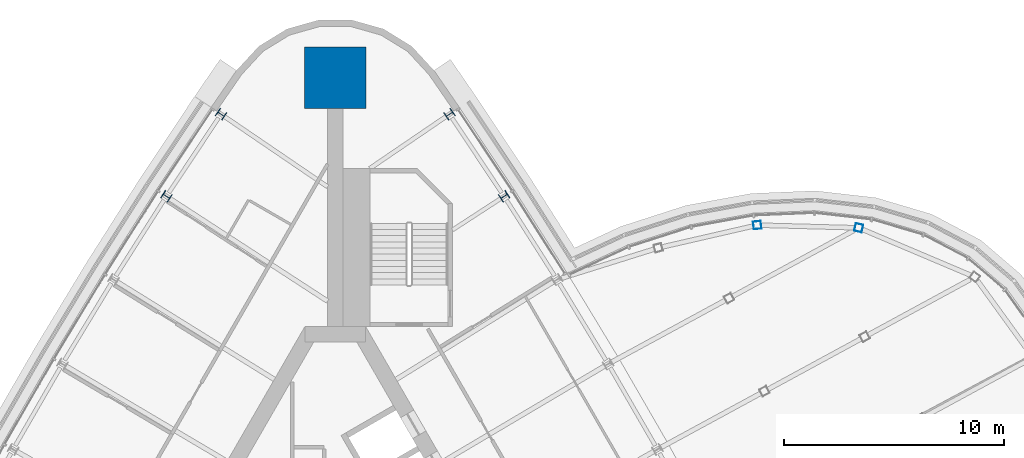
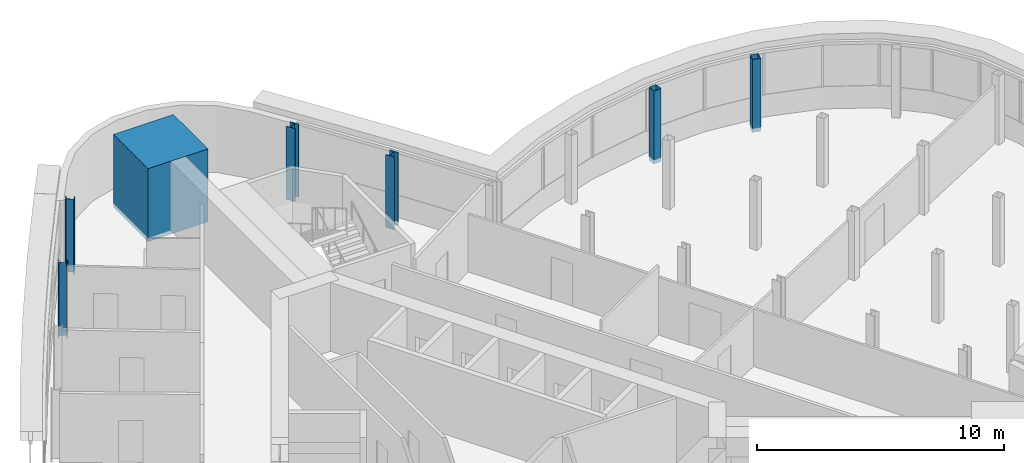
# One storey, part 3 of 15: 7 columns.
"""IFC4 building model written with IfcOpenShell, lengths in metres."""

from ifc_helpers import new_model, si_unit, direction, frame, origin, origin_2d, place, context, subcontext, project, spatial, rectangle, hollow_rectangle, i_section, extrude, material, material_profile, profile_set, type_object, element, save


model = new_model("IFC4")

# Units and contexts
model_context = context("Model", 3, precision=1e-05, world=origin(), true_north=direction((0.0, 1.0)))
body_context = subcontext(model_context, "Body", "Model", "MODEL_VIEW")
ifc_project = project(units=[si_unit("LENGTHUNIT", "METRE"), si_unit("AREAUNIT", "SQUARE_METRE"), si_unit("VOLUMEUNIT", "CUBIC_METRE"), si_unit("PLANEANGLEUNIT", "RADIAN"), si_unit("MASSUNIT", "GRAM", prefix="KILO")], contexts=[model_context])

# Site, building, storey
site_placement = place(None, origin())
site = spatial("IfcSite", under=ifc_project, at=site_placement, CompositionType="ELEMENT")
building_placement = place(site_placement, origin())
building = spatial("IfcBuilding", under=site, at=building_placement, Name="Noor Cloister Tower", CompositionType="ELEMENT")
storey_placement = place(building_placement, frame((0.0, 0.0, 177.89990234375)))
storey = spatial("IfcBuildingStorey", under=building, at=storey_placement, Name="L45", CompositionType="ELEMENT", Elevation=177.89990234375)

# Columns
ifc_material_1 = material(Name="Steel ASTM A992 Gr 50", Category="steel")
ifc_material_profile_1 = material_profile(ifc_material_1, i_section(OverallWidth=0.39404296875, OverallDepth=0.3759765625, WebThickness=0.017333984375, FlangeThickness=0.027587890625, FilletRadius=0.01513671875, at=origin_2d()), Name="W360x216")
ifc_profile_set_1 = profile_set([ifc_material_profile_1], Name="Steel ASTM A992 Gr 50")
column_type_1 = type_object("IfcColumnType", Name="Column W360x216", PredefinedType="COLUMN", material=ifc_profile_set_1)
for number, where, z_axis, x_axis, name in (
    (1, (-5.19775390625, 21.123779296875, -0.199951171875), (0.0, 0.0, 1.0), (-0.562771100016, -0.826612780561, 0.0), "Column NW 01 L45"),
    (2, (-7.68408203125, 17.38720703125, -0.199951171875), (0.0, 0.0, 1.0), (-0.545137193542, -0.83834684959, 0.0), "Column NW 02 L45"),
    (3, (7.68408203125, 17.38720703125, -0.199951171875), (0.0, 0.0, 1.0), (-0.545137193542, 0.83834684959, 0.0), "Column NE 07 L45"),
    (4, (5.19775390625, 21.123779296875, -0.199951171875), (0.0, 0.0, 1.0), (-0.562771100016, 0.826612780561, 0.0), "Column NE 08 L45"),
):
    element("IfcColumn", number, at=place(storey_placement, frame(where, z_axis=z_axis, x_axis=x_axis)), inside=storey, type_object=column_type_1, Name=name, PredefinedType="COLUMN", context=body_context, shape_type="SweptSolid", body=[
        extrude(i_section(OverallWidth=0.39404296875, OverallDepth=0.3759765625, WebThickness=0.017333984375, FlangeThickness=0.027587890625, FilletRadius=0.01513671875, at=origin_2d()), origin(), (0.0, 0.0, 1.0), 3.60009765625),
    ])
ifc_material_2 = material(Name="Concrete C70/85", Category="concrete")
ifc_material_profile_2 = material_profile(ifc_material_2, rectangle(XDim=2.800048828125, YDim=2.800048828125, at=origin_2d()), Name="RC 2800x2800")
ifc_profile_set_2 = profile_set([ifc_material_profile_2], Name="Concrete C70/85")
column_type_2 = type_object("IfcColumnType", Name="Corner pier 2800 x 2800 C70/85", PredefinedType="COLUMN", material=ifc_profile_set_2)
column_placement = place(storey_placement, frame((0.0, 22.783935546875, -0.199951171875), z_axis=(0.0, 0.0, 1.0), x_axis=(0.0, 1.0, 0.0)))
element("IfcColumn", 5, at=column_placement, inside=storey, type_object=column_type_2, Name="Corner pier N L45", PredefinedType="COLUMN", context=body_context, shape_type="SweptSolid", body=[
    extrude(rectangle(XDim=2.800048828125, YDim=2.800048828125, at=origin_2d()), origin(), (0.0, 0.0, 1.0), 3.60009765625),
])
ifc_material_3 = material(Name="Steel ASTM A500 Gr C", Category="steel")
ifc_material_profile_3 = material_profile(ifc_material_3, hollow_rectangle(XDim=0.35595703125, YDim=0.35595703125, WallThickness=0.0126953125, at=origin_2d()), Name="HSS355.6x355.6x12.7")
ifc_profile_set_3 = profile_set([ifc_material_profile_3], Name="Steel ASTM A500 Gr C")
column_type_3 = type_object("IfcColumnType", Name="Pod post HSS355.6x355.6x12.7", PredefinedType="COLUMN", material=ifc_profile_set_3)
for number, where, z_axis, x_axis, name in (
    (6, (23.81982421875, 15.95458984375, -0.199951171875), (0.0, 0.0, 1.0), (-0.97270931085, 0.232027146227, 0.0), "Pod post 3 L45 ring 8"),
    (7, (19.203857421875, 16.078369140625, -0.199951171875), (0.0, 0.0, 1.0), (-0.995050087927, -0.099374657313, 0.0), "Pod post 3 L45 ring 9"),
):
    element("IfcColumn", number, at=place(storey_placement, frame(where, z_axis=z_axis, x_axis=x_axis)), inside=storey, type_object=column_type_3, Name=name, PredefinedType="COLUMN", context=body_context, shape_type="SweptSolid", body=[
        extrude(hollow_rectangle(XDim=0.35595703125, YDim=0.35595703125, WallThickness=0.0126953125, at=origin_2d()), origin(), (0.0, 0.0, 1.0), 3.60009765625),
    ])

save(model, "model.ifc")
